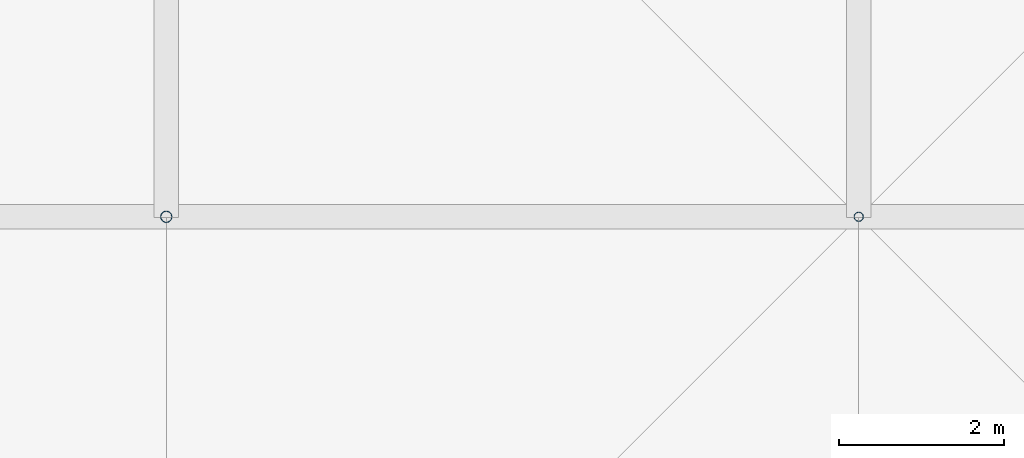
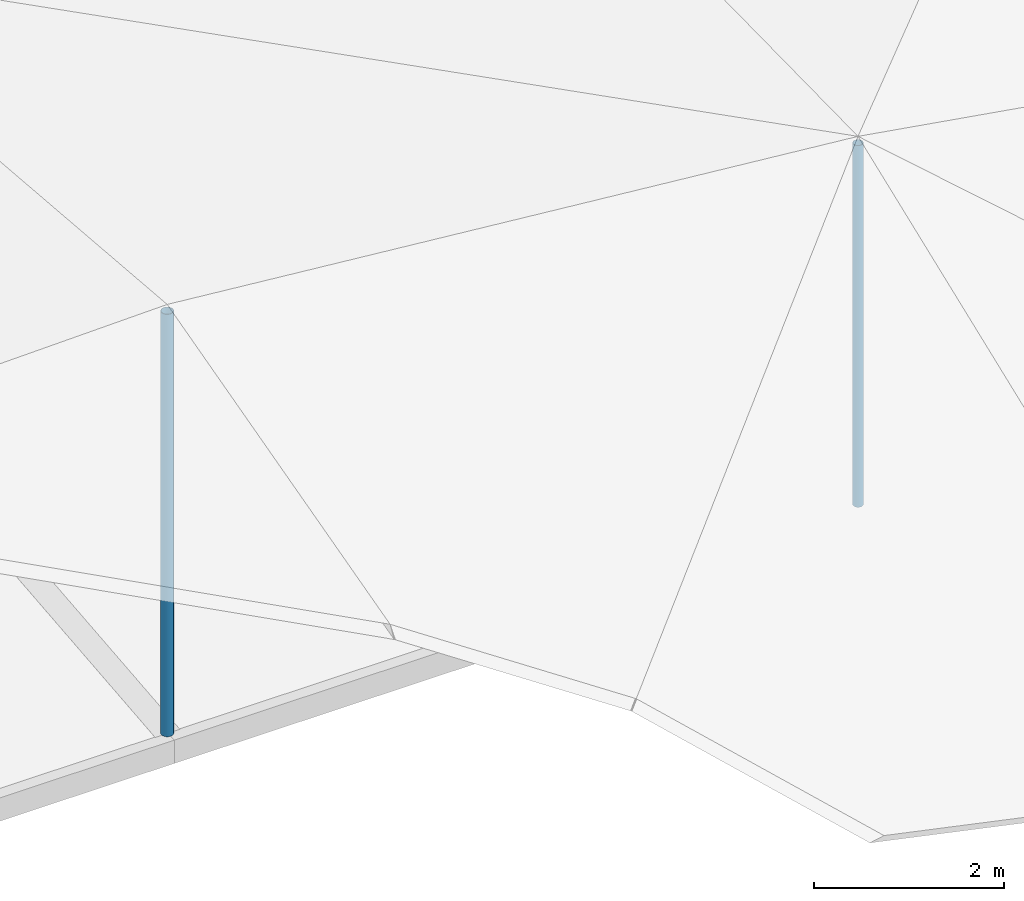
# One storey, part 18 of 46: 2 discrete accessories.
"""IFC4 building model written with IfcOpenShell, lengths in metres."""

from ifc_helpers import new_model, si_unit, direction, frame, origin, origin_2d, place, context, subcontext, project, spatial, hollow_circle, extrude, material, material_profile, profile_set, type_object, element, save


model = new_model("IFC4")

# Units and contexts
model_context = context("Model", 3, precision=1e-05, world=origin(), true_north=direction((0.0, 1.0)))
body_context = subcontext(model_context, "Body", "Model", "MODEL_VIEW")
ifc_project = project(units=[si_unit("LENGTHUNIT", "METRE"), si_unit("AREAUNIT", "SQUARE_METRE"), si_unit("VOLUMEUNIT", "CUBIC_METRE"), si_unit("PLANEANGLEUNIT", "RADIAN"), si_unit("MASSUNIT", "GRAM", prefix="KILO")], contexts=[model_context])

# Site, building, storey
site_placement = place(None, origin())
site = spatial("IfcSite", under=ifc_project, at=site_placement, CompositionType="ELEMENT")
building_placement = place(site_placement, origin())
building = spatial("IfcBuilding", under=site, at=building_placement, Name="Rain Tree Exposition and Congress Centre", CompositionType="ELEMENT")
storey_placement = place(building_placement, frame((0.0, 0.0, 27.0)))
storey = spatial("IfcBuildingStorey", under=building, at=storey_placement, Name="ROOF VAULT CREST", CompositionType="ELEMENT", Elevation=27.0)

# Discrete accessories
ifc_material_1 = material(Name="Steel S355J2H", Category="steel")
ifc_material_profile_1 = material_profile(ifc_material_1, hollow_circle(Radius=0.05712890625, WallThickness=0.00439453125, at=origin_2d()), Name="CHS 114x4.5")
ifc_profile_set_1 = profile_set([ifc_material_profile_1], Name="Steel S355J2H")
discrete_accessory_type_1 = type_object("IfcDiscreteAccessoryType", Name="Roof skin post CHS 114x4.5", PredefinedType="BRACKET", material=ifc_profile_set_1)
discrete_accessory_1_placement = place(storey_placement, frame((226.800048828125, 117.60009765625, 0.551025390625), z_axis=(0.0, 0.0, 1.0), x_axis=(1.0, 0.0, 0.0)))
element("IfcDiscreteAccessory", 1, at=discrete_accessory_1_placement, inside=storey, type_object=discrete_accessory_type_1, Name="Roof skin post B37", PredefinedType="BRACKET", context=body_context, shape_type="SweptSolid", body=[
    extrude(hollow_circle(Radius=0.05712890625, WallThickness=0.00439453125, at=origin_2d()), origin(), (0.0, 0.0, 1.0), 4.649658203125),
])
ifc_material_2 = material(Name="Steel S355J2H", Category="steel")
ifc_material_profile_2 = material_profile(ifc_material_2, hollow_circle(Radius=0.06982421875, WallThickness=0.0048828125, at=origin_2d()), Name="CHS 140x5")
ifc_profile_set_2 = profile_set([ifc_material_profile_2], Name="Steel S355J2H")
discrete_accessory_type_2 = type_object("IfcDiscreteAccessoryType", Name="Roof skin post CHS 140x5", PredefinedType="BRACKET", material=ifc_profile_set_2)
discrete_accessory_2_placement = place(storey_placement, frame((218.39990234375, 117.60009765625, 0.551025390625), z_axis=(0.0, 0.0, 1.0), x_axis=(1.0, 0.0, 0.0)))
element("IfcDiscreteAccessory", 2, at=discrete_accessory_2_placement, inside=storey, type_object=discrete_accessory_type_2, Name="Roof skin post B36", PredefinedType="BRACKET", context=body_context, shape_type="SweptSolid", body=[
    extrude(hollow_circle(Radius=0.06982421875, WallThickness=0.0048828125, at=origin_2d()), origin(), (0.0, 0.0, 1.0), 5.429931640625),
])

save(model, "model.ifc")
